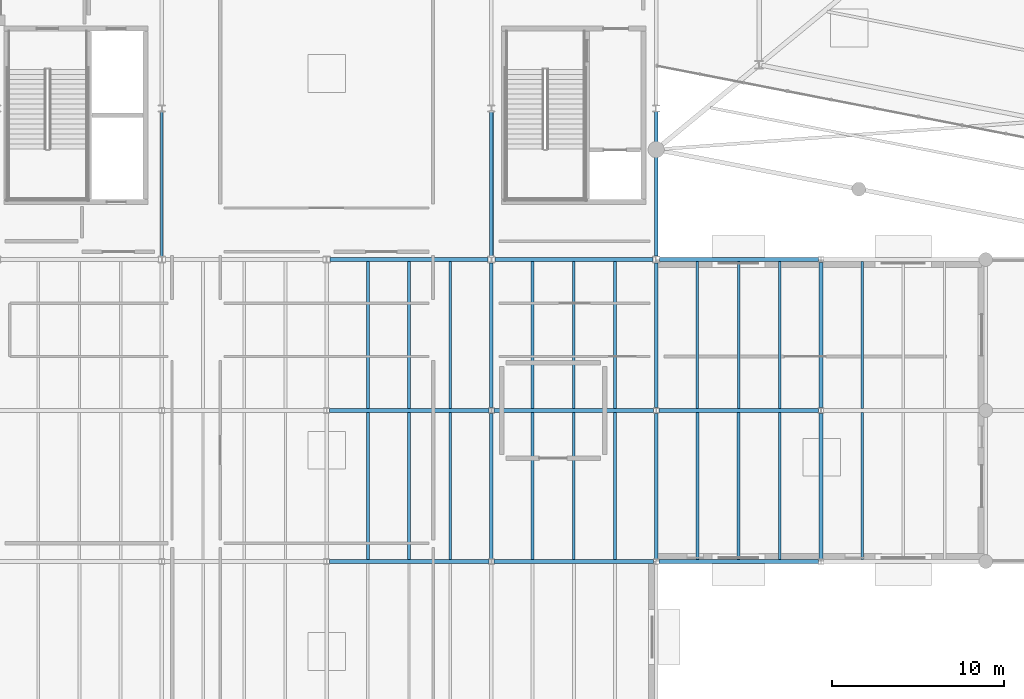
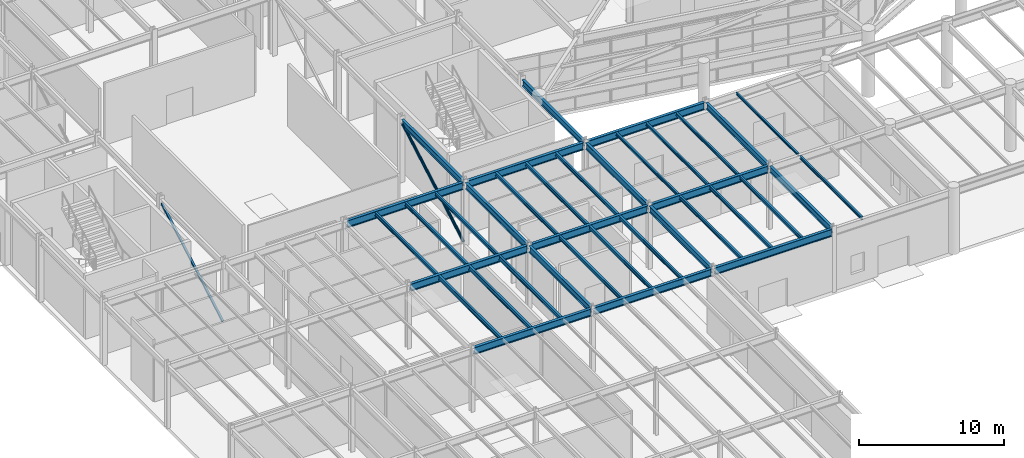
# One storey, part 21 of 70: 37 beams, 2 members.
"""IFC4 building model written with IfcOpenShell, lengths in metres."""

from ifc_helpers import new_model, si_unit, direction, frame, origin, origin_2d, place, context, subcontext, project, spatial, hollow_rectangle, hollow_circle, i_section, extrude, material, material_profile, profile_set, type_object, element, save


model = new_model("IFC4")

# Units and contexts
model_context = context("Model", 3, precision=1e-05, world=origin(), true_north=direction((0.0, 1.0)))
body_context = subcontext(model_context, "Body", "Model", "MODEL_VIEW")
ifc_project = project(units=[si_unit("LENGTHUNIT", "METRE"), si_unit("AREAUNIT", "SQUARE_METRE"), si_unit("VOLUMEUNIT", "CUBIC_METRE"), si_unit("PLANEANGLEUNIT", "RADIAN"), si_unit("MASSUNIT", "GRAM", prefix="KILO")], contexts=[model_context])

# Site, building, storey
site_placement = place(None, origin())
site = spatial("IfcSite", under=ifc_project, at=site_placement, CompositionType="ELEMENT")
building_placement = place(site_placement, origin())
building = spatial("IfcBuilding", under=site, at=building_placement, Name="Sarnbrook Museum", CompositionType="ELEMENT")
storey_placement = place(building_placement, origin())
storey = spatial("IfcBuildingStorey", under=building, at=storey_placement, Name="L00", CompositionType="ELEMENT", Elevation=0.0)

# Beams
ifc_material_1 = material(Name="Structural Steel Grade 300PLUS (AS/NZS 3679.1, fy = 280 MPa for 17 < t <= 40 mm, 300 MPa for t <= 17 mm)", Category="steel")
ifc_material_profile_1 = material_profile(ifc_material_1, i_section(OverallWidth=0.208984375, OverallDepth=0.532958984375, WebThickness=0.01025390625, FlangeThickness=0.015625, FilletRadius=0.013916015625, at=origin_2d()), Name="530UB92.4")
ifc_profile_set_1 = profile_set([ifc_material_profile_1], Name="Structural Steel Grade 300PLUS (AS/NZS 3679.1, fy = 280 MPa for 17 < t <= 40 mm, 300 MPa for t <= 17 mm)")
beam_type_1 = type_object("IfcBeamType", Name="BM-UB530", PredefinedType="BEAM", material=ifc_profile_set_1)
beam_1_placement = place(storey_placement, frame((109.60009765625, 39.363525390625, 5.08349609375), z_axis=(0.0, 1.0, 0.0), x_axis=(-1.0, 0.0, 0.0)))
element("IfcBeam", 1, at=beam_1_placement, inside=storey, type_object=beam_type_1, Name="Girder 12:E-F L00", PredefinedType="BEAM", context=body_context, shape_type="SweptSolid", body=[
    extrude(i_section(OverallWidth=0.208984375, OverallDepth=0.532958984375, WebThickness=0.01025390625, FlangeThickness=0.015625, FilletRadius=0.013916015625, at=origin_2d()), origin(), (0.0, 0.0, 1.0), 8.472900390625),
])
beam_2_placement = place(storey_placement, frame((109.60009765625, 48.16357421875, 5.08349609375), z_axis=(0.0, 1.0, 0.0), x_axis=(-1.0, 0.0, 0.0)))
element("IfcBeam", 2, at=beam_2_placement, inside=storey, type_object=beam_type_1, Name="Girder 12:F-G L00", PredefinedType="BEAM", context=body_context, shape_type="SweptSolid", body=[
    extrude(i_section(OverallWidth=0.208984375, OverallDepth=0.532958984375, WebThickness=0.01025390625, FlangeThickness=0.015625, FilletRadius=0.013916015625, at=origin_2d()), origin(), (0.0, 0.0, 1.0), 8.4453125),
])
beam_3_placement = place(storey_placement, frame((109.60009765625, 56.990966796875, 5.08349609375), z_axis=(0.0, 1.0, 0.0), x_axis=(-1.0, 0.0, 0.0)))
element("IfcBeam", 3, at=beam_3_placement, inside=storey, type_object=beam_type_1, Name="Girder 12:G-H L00", PredefinedType="BEAM", context=body_context, shape_type="SweptSolid", body=[
    extrude(i_section(OverallWidth=0.208984375, OverallDepth=0.532958984375, WebThickness=0.01025390625, FlangeThickness=0.015625, FilletRadius=0.013916015625, at=origin_2d()), origin(), (0.0, 0.0, 1.0), 8.41796875),
])
beam_4_placement = place(storey_placement, frame((119.199951171875, 39.363525390625, 5.08349609375), z_axis=(0.0, 1.0, 0.0), x_axis=(-1.0, 0.0, 0.0)))
element("IfcBeam", 4, at=beam_4_placement, inside=storey, type_object=beam_type_1, Name="Girder 13:E-F L00", PredefinedType="BEAM", context=body_context, shape_type="SweptSolid", body=[
    extrude(i_section(OverallWidth=0.208984375, OverallDepth=0.532958984375, WebThickness=0.01025390625, FlangeThickness=0.015625, FilletRadius=0.013916015625, at=origin_2d()), origin(), (0.0, 0.0, 1.0), 8.472900390625),
])
beam_5_placement = place(storey_placement, frame((119.199951171875, 48.16357421875, 5.08349609375), z_axis=(0.0, 1.0, 0.0), x_axis=(-1.0, 0.0, 0.0)))
element("IfcBeam", 5, at=beam_5_placement, inside=storey, type_object=beam_type_1, Name="Girder 13:F-G L00", PredefinedType="BEAM", context=body_context, shape_type="SweptSolid", body=[
    extrude(i_section(OverallWidth=0.208984375, OverallDepth=0.532958984375, WebThickness=0.01025390625, FlangeThickness=0.015625, FilletRadius=0.013916015625, at=origin_2d()), origin(), (0.0, 0.0, 1.0), 8.4453125),
])
beam_6_placement = place(storey_placement, frame((119.199951171875, 56.990966796875, 5.073486328125), z_axis=(0.0, 1.0, 0.0), x_axis=(-1.0, 0.0, 0.0)))
element("IfcBeam", 6, at=beam_6_placement, inside=storey, type_object=beam_type_1, Name="Girder 13:G-H L00", PredefinedType="BEAM", context=body_context, shape_type="SweptSolid", body=[
    extrude(i_section(OverallWidth=0.208984375, OverallDepth=0.532958984375, WebThickness=0.01025390625, FlangeThickness=0.015625, FilletRadius=0.013916015625, at=origin_2d()), origin(), (0.0, 0.0, 1.0), 8.41796875),
])
for number, where, z_axis, x_axis, name in (
    (7, (128.800048828125, 39.363525390625, 5.08349609375), (0.0, 1.0, 0.0), (-1.0, 0.0, 0.0), "Girder 14:E-F L00"),
    (8, (128.800048828125, 48.16357421875, 5.08349609375), (0.0, 1.0, 0.0), (-1.0, 0.0, 0.0), "Girder 14:F-G L00"),
):
    element("IfcBeam", number, at=place(storey_placement, frame(where, z_axis=z_axis, x_axis=x_axis)), inside=storey, type_object=beam_type_1, Name=name, PredefinedType="BEAM", context=body_context, shape_type="SweptSolid", body=[
        extrude(i_section(OverallWidth=0.208984375, OverallDepth=0.532958984375, WebThickness=0.01025390625, FlangeThickness=0.015625, FilletRadius=0.013916015625, at=origin_2d()), origin(), (0.0, 0.0, 1.0), 8.472900390625),
    ])
ifc_material_profile_2 = material_profile(ifc_material_1, i_section(OverallWidth=0.22900390625, OverallDepth=0.612060546875, WebThickness=0.011962890625, FlangeThickness=0.01953125, FilletRadius=0.013916015625, at=origin_2d()), Name="610UB125")
ifc_profile_set_2 = profile_set([ifc_material_profile_2], Name="Structural Steel Grade 300PLUS (AS/NZS 3679.1, fy = 280 MPa for 17 < t <= 40 mm, 300 MPa for t <= 17 mm)")
beam_type_2 = type_object("IfcBeamType", Name="BM-UB610H", PredefinedType="BEAM", material=ifc_profile_set_2)
beam_7_placement = place(storey_placement, frame((100.155517578125, 39.199951171875, 5.0439453125), z_axis=(1.0, 0.0, 0.0), x_axis=(0.0, 1.0, 0.0)))
element("IfcBeam", 9, at=beam_7_placement, inside=storey, type_object=beam_type_2, Name="Girder E:11-12 L00", PredefinedType="BEAM", context=body_context, shape_type="SweptSolid", body=[
    extrude(i_section(OverallWidth=0.22900390625, OverallDepth=0.612060546875, WebThickness=0.011962890625, FlangeThickness=0.01953125, FilletRadius=0.013916015625, at=origin_2d()), origin(), (0.0, 0.0, 1.0), 9.2890625),
])
beam_8_placement = place(storey_placement, frame((109.755615234375, 39.199951171875, 5.0439453125), z_axis=(1.0, 0.0, 0.0), x_axis=(0.0, 1.0, 0.0)))
element("IfcBeam", 10, at=beam_8_placement, inside=storey, type_object=beam_type_2, Name="Girder E:12-13 L00", PredefinedType="BEAM", context=body_context, shape_type="SweptSolid", body=[
    extrude(i_section(OverallWidth=0.22900390625, OverallDepth=0.612060546875, WebThickness=0.011962890625, FlangeThickness=0.01953125, FilletRadius=0.013916015625, at=origin_2d()), origin(), (0.0, 0.0, 1.0), 9.288818359375),
])
for number, where, z_axis, x_axis, name in (
    (11, (119.35546875, 39.199951171875, 5.0439453125), (1.0, 0.0, 0.0), (0.0, 1.0, 0.0), "Girder E:13-14 L00"),
    (12, (100.155517578125, 48.0, 5.0439453125), (1.0, 0.0, 0.0), (0.0, 1.0, 0.0), "Girder F:11-12 L00"),
):
    element("IfcBeam", number, at=place(storey_placement, frame(where, z_axis=z_axis, x_axis=x_axis)), inside=storey, type_object=beam_type_2, Name=name, PredefinedType="BEAM", context=body_context, shape_type="SweptSolid", body=[
        extrude(i_section(OverallWidth=0.22900390625, OverallDepth=0.612060546875, WebThickness=0.011962890625, FlangeThickness=0.01953125, FilletRadius=0.013916015625, at=origin_2d()), origin(), (0.0, 0.0, 1.0), 9.2890625),
    ])
beam_9_placement = place(storey_placement, frame((109.755615234375, 48.0, 5.0439453125), z_axis=(1.0, 0.0, 0.0), x_axis=(0.0, 1.0, 0.0)))
element("IfcBeam", 13, at=beam_9_placement, inside=storey, type_object=beam_type_2, Name="Girder F:12-13 L00", PredefinedType="BEAM", context=body_context, shape_type="SweptSolid", body=[
    extrude(i_section(OverallWidth=0.22900390625, OverallDepth=0.612060546875, WebThickness=0.011962890625, FlangeThickness=0.01953125, FilletRadius=0.013916015625, at=origin_2d()), origin(), (0.0, 0.0, 1.0), 9.288818359375),
])
beam_10_placement = place(storey_placement, frame((119.35546875, 48.0, 5.0439453125), z_axis=(1.0, 0.0, 0.0), x_axis=(0.0, 1.0, 0.0)))
element("IfcBeam", 14, at=beam_10_placement, inside=storey, type_object=beam_type_2, Name="Girder F:13-14 L00", PredefinedType="BEAM", context=body_context, shape_type="SweptSolid", body=[
    extrude(i_section(OverallWidth=0.22900390625, OverallDepth=0.612060546875, WebThickness=0.011962890625, FlangeThickness=0.01953125, FilletRadius=0.013916015625, at=origin_2d()), origin(), (0.0, 0.0, 1.0), 9.2890625),
])
for number, where, z_axis, x_axis, name in (
    (15, (100.199951171875, 56.800048828125, 5.0439453125), (1.0, 0.0, 0.0), (0.0, 1.0, 0.0), "Girder G:11-12 L00"),
    (16, (109.800048828125, 56.800048828125, 5.0439453125), (1.0, 0.0, 0.0), (0.0, 1.0, 0.0), "Girder G:12-13 L00"),
):
    element("IfcBeam", number, at=place(storey_placement, frame(where, z_axis=z_axis, x_axis=x_axis)), inside=storey, type_object=beam_type_2, Name=name, PredefinedType="BEAM", context=body_context, shape_type="SweptSolid", body=[
        extrude(i_section(OverallWidth=0.22900390625, OverallDepth=0.612060546875, WebThickness=0.011962890625, FlangeThickness=0.01953125, FilletRadius=0.013916015625, at=origin_2d()), origin(), (0.0, 0.0, 1.0), 9.199951171875),
    ])
beam_11_placement = place(storey_placement, frame((119.39990234375, 56.800048828125, 5.0439453125), z_axis=(1.0, 0.0, 0.0), x_axis=(0.0, 1.0, 0.0)))
element("IfcBeam", 17, at=beam_11_placement, inside=storey, type_object=beam_type_2, Name="Girder G:13-14 L00", PredefinedType="BEAM", context=body_context, shape_type="SweptSolid", body=[
    extrude(i_section(OverallWidth=0.22900390625, OverallDepth=0.612060546875, WebThickness=0.011962890625, FlangeThickness=0.01953125, FilletRadius=0.013916015625, at=origin_2d()), origin(), (0.0, 0.0, 1.0), 9.24462890625),
])
ifc_material_profile_3 = material_profile(ifc_material_1, i_section(OverallWidth=0.134033203125, OverallDepth=0.20703125, WebThickness=0.00634765625, FlangeThickness=0.009521484375, FilletRadius=0.0087890625, at=origin_2d()), Name="200UB29.8")
ifc_profile_set_3 = profile_set([ifc_material_profile_3], Name="Structural Steel Grade 300PLUS (AS/NZS 3679.1, fy = 280 MPa for 17 < t <= 40 mm, 300 MPa for t <= 17 mm)")
beam_type_3 = type_object("IfcBeamType", Name="JS-UB200", PredefinedType="JOIST", material=ifc_profile_set_3)
beam_12_placement = place(storey_placement, frame((131.199951171875, 48.114501953125, 5.24658203125), z_axis=(0.0, 1.0, 0.0), x_axis=(-1.0, 0.0, 0.0)))
element("IfcBeam", 18, at=beam_12_placement, inside=storey, type_object=beam_type_3, Name="Composite Floor Joist 14F-1 L00", PredefinedType="JOIST", context=body_context, shape_type="SweptSolid", body=[
    extrude(i_section(OverallWidth=0.134033203125, OverallDepth=0.20703125, WebThickness=0.00634765625, FlangeThickness=0.009521484375, FilletRadius=0.0087890625, at=origin_2d()), origin(), (0.0, 0.0, 1.0), 8.571044921875),
])
ifc_material_profile_4 = material_profile(ifc_material_1, i_section(OverallWidth=0.14599609375, OverallDepth=0.256103515625, WebThickness=0.00634765625, FlangeThickness=0.010986328125, FilletRadius=0.0087890625, at=origin_2d()), Name="250UB37.3")
ifc_profile_set_4 = profile_set([ifc_material_profile_4], Name="Structural Steel Grade 300PLUS (AS/NZS 3679.1, fy = 280 MPa for 17 < t <= 40 mm, 300 MPa for t <= 17 mm)")
beam_type_4 = type_object("IfcBeamType", Name="JS-UB250", PredefinedType="JOIST", material=ifc_profile_set_4)
for number, where, z_axis, x_axis, name in (
    (19, (121.60009765625, 48.114501953125, 5.221923828125), (0.0, 1.0, 0.0), (-1.0, 0.0, 0.0), "Composite Floor Joist 13F-1 L00"),
    (20, (124.0, 48.114501953125, 5.221923828125), (0.0, 1.0, 0.0), (-1.0, 0.0, 0.0), "Composite Floor Joist 13F-2 L00"),
    (21, (126.39990234375, 48.114501953125, 5.221923828125), (0.0, 1.0, 0.0), (-1.0, 0.0, 0.0), "Composite Floor Joist 13F-3 L00"),
    (22, (131.199951171875, 39.314453125, 5.221923828125), (0.0, 1.0, 0.0), (-1.0, 0.0, 0.0), "Composite Floor Joist 14E-1 L00"),
):
    element("IfcBeam", number, at=place(storey_placement, frame(where, z_axis=z_axis, x_axis=x_axis)), inside=storey, type_object=beam_type_4, Name=name, PredefinedType="JOIST", context=body_context, shape_type="SweptSolid", body=[
        extrude(i_section(OverallWidth=0.14599609375, OverallDepth=0.256103515625, WebThickness=0.00634765625, FlangeThickness=0.010986328125, FilletRadius=0.0087890625, at=origin_2d()), origin(), (0.0, 0.0, 1.0), 8.571044921875),
    ])
ifc_material_profile_5 = material_profile(ifc_material_1, i_section(OverallWidth=0.1650390625, OverallDepth=0.303955078125, WebThickness=0.006103515625, FlangeThickness=0.01025390625, FilletRadius=0.011474609375, at=origin_2d()), Name="310UB40.4")
ifc_profile_set_5 = profile_set([ifc_material_profile_5], Name="Structural Steel Grade 300PLUS (AS/NZS 3679.1, fy = 280 MPa for 17 < t <= 40 mm, 300 MPa for t <= 17 mm)")
beam_type_5 = type_object("IfcBeamType", Name="JS-UB310", PredefinedType="JOIST", material=ifc_profile_set_5)
for number, where, z_axis, x_axis, name in (
    (23, (112.0, 48.114501953125, 5.197998046875), (0.0, 1.0, 0.0), (-1.0, 0.0, 0.0), "Composite Floor Joist 12F-1 L00"),
    (24, (114.39990234375, 48.114501953125, 5.197998046875), (0.0, 1.0, 0.0), (-1.0, 0.0, 0.0), "Composite Floor Joist 12F-2 L00"),
    (25, (116.800048828125, 48.114501953125, 5.197998046875), (0.0, 1.0, 0.0), (-1.0, 0.0, 0.0), "Composite Floor Joist 12F-3 L00"),
    (26, (121.60009765625, 39.314453125, 5.197998046875), (0.0, 1.0, 0.0), (-1.0, 0.0, 0.0), "Composite Floor Joist 13E-1 L00"),
    (27, (124.0, 39.314453125, 5.197998046875), (0.0, 1.0, 0.0), (-1.0, 0.0, 0.0), "Composite Floor Joist 13E-2 L00"),
    (28, (126.39990234375, 39.314453125, 5.197998046875), (0.0, 1.0, 0.0), (-1.0, 0.0, 0.0), "Composite Floor Joist 13E-3 L00"),
):
    element("IfcBeam", number, at=place(storey_placement, frame(where, z_axis=z_axis, x_axis=x_axis)), inside=storey, type_object=beam_type_5, Name=name, PredefinedType="JOIST", context=body_context, shape_type="SweptSolid", body=[
        extrude(i_section(OverallWidth=0.1650390625, OverallDepth=0.303955078125, WebThickness=0.006103515625, FlangeThickness=0.01025390625, FilletRadius=0.011474609375, at=origin_2d()), origin(), (0.0, 0.0, 1.0), 8.571044921875),
    ])
ifc_material_profile_6 = material_profile(ifc_material_1, i_section(OverallWidth=0.166015625, OverallDepth=0.306884765625, WebThickness=0.006591796875, FlangeThickness=0.01171875, FilletRadius=0.011474609375, at=origin_2d()), Name="310UB46.2")
ifc_profile_set_6 = profile_set([ifc_material_profile_6], Name="Structural Steel Grade 300PLUS (AS/NZS 3679.1, fy = 280 MPa for 17 < t <= 40 mm, 300 MPa for t <= 17 mm)")
beam_type_6 = type_object("IfcBeamType", Name="JS-UB310H", PredefinedType="JOIST", material=ifc_profile_set_6)
for number, where, z_axis, x_axis, name in (
    (29, (102.39990234375, 48.114501953125, 5.196533203125), (0.0, 1.0, 0.0), (-1.0, 0.0, 0.0), "Composite Floor Joist 11F-1 L00"),
    (30, (104.800048828125, 48.114501953125, 5.196533203125), (0.0, 1.0, 0.0), (-1.0, 0.0, 0.0), "Composite Floor Joist 11F-2 L00"),
    (31, (107.199951171875, 48.114501953125, 5.196533203125), (0.0, 1.0, 0.0), (-1.0, 0.0, 0.0), "Composite Floor Joist 11F-3 L00"),
    (32, (112.0, 39.314453125, 5.196533203125), (0.0, 1.0, 0.0), (-1.0, 0.0, 0.0), "Composite Floor Joist 12E-1 L00"),
    (33, (114.39990234375, 39.314453125, 5.196533203125), (0.0, 1.0, 0.0), (-1.0, 0.0, 0.0), "Composite Floor Joist 12E-2 L00"),
    (34, (116.800048828125, 39.314453125, 5.196533203125), (0.0, 1.0, 0.0), (-1.0, 0.0, 0.0), "Composite Floor Joist 12E-3 L00"),
):
    element("IfcBeam", number, at=place(storey_placement, frame(where, z_axis=z_axis, x_axis=x_axis)), inside=storey, type_object=beam_type_6, Name=name, PredefinedType="JOIST", context=body_context, shape_type="SweptSolid", body=[
        extrude(i_section(OverallWidth=0.166015625, OverallDepth=0.306884765625, WebThickness=0.006591796875, FlangeThickness=0.01171875, FilletRadius=0.011474609375, at=origin_2d()), origin(), (0.0, 0.0, 1.0), 8.571044921875),
    ])
ifc_material_profile_7 = material_profile(ifc_material_1, i_section(OverallWidth=0.1708984375, OverallDepth=0.35595703125, WebThickness=0.00732421875, FlangeThickness=0.011474609375, FilletRadius=0.011474609375, at=origin_2d()), Name="360UB50.7")
ifc_profile_set_7 = profile_set([ifc_material_profile_7], Name="Structural Steel Grade 300PLUS (AS/NZS 3679.1, fy = 280 MPa for 17 < t <= 40 mm, 300 MPa for t <= 17 mm)")
beam_type_7 = type_object("IfcBeamType", Name="JS-UB360", PredefinedType="JOIST", material=ifc_profile_set_7)
for number, where, z_axis, x_axis, name in (
    (35, (102.39990234375, 39.314453125, 5.172119140625), (0.0, 1.0, 0.0), (-1.0, 0.0, 0.0), "Composite Floor Joist 11E-1 L00"),
    (36, (104.800048828125, 39.314453125, 5.172119140625), (0.0, 1.0, 0.0), (-1.0, 0.0, 0.0), "Composite Floor Joist 11E-2 L00"),
    (37, (107.199951171875, 39.314453125, 5.172119140625), (0.0, 1.0, 0.0), (-1.0, 0.0, 0.0), "Composite Floor Joist 11E-3 L00"),
):
    element("IfcBeam", number, at=place(storey_placement, frame(where, z_axis=z_axis, x_axis=x_axis)), inside=storey, type_object=beam_type_7, Name=name, PredefinedType="JOIST", context=body_context, shape_type="SweptSolid", body=[
        extrude(i_section(OverallWidth=0.1708984375, OverallDepth=0.35595703125, WebThickness=0.00732421875, FlangeThickness=0.011474609375, FilletRadius=0.011474609375, at=origin_2d()), origin(), (0.0, 0.0, 1.0), 8.571044921875),
    ])

# Members
ifc_material_2 = material(Name="Structural Steel Hollow Section Grade C350L0 (AS/NZS 1163, fy = 350 MPa)", Category="steel")
ifc_material_profile_8 = material_profile(ifc_material_2, hollow_circle(Radius=0.109619140625, WallThickness=0.00830078125, at=origin_2d()), Name="219.1x8.2CHS")
ifc_profile_set_8 = profile_set([ifc_material_profile_8], Name="Structural Steel Hollow Section Grade C350L0 (AS/NZS 1163, fy = 350 MPa)")
member_type_1 = type_object("IfcMemberType", Name="MB-CHS219", PredefinedType="BRACE", material=ifc_profile_set_8)
member_1_placement = place(storey_placement, frame((109.60009765625, 56.97998046875, 0.1201171875), z_axis=(0.0, 0.867932423691, 0.496682300778), x_axis=(-1.0, 0.0, 0.0)))
element("IfcMember", 38, at=member_1_placement, inside=storey, type_object=member_type_1, Name="Lateral Diagonal Brace CBF-2 L00", PredefinedType="BRACE", context=body_context, shape_type="SweptSolid", body=[
    extrude(hollow_circle(Radius=0.109619140625, WallThickness=0.00830078125, at=origin_2d()), origin(), (0.0, 0.0, 1.0), 9.72412109375),
])
ifc_material_profile_9 = material_profile(ifc_material_2, hollow_rectangle(XDim=0.14990234375, YDim=0.14990234375, WallThickness=0.009033203125, at=origin_2d()), Name="150x150x9.0SHS")
ifc_profile_set_9 = profile_set([ifc_material_profile_9], Name="Structural Steel Hollow Section Grade C350L0 (AS/NZS 1163, fy = 350 MPa)")
member_type_2 = type_object("IfcMemberType", Name="MB-SHS150", PredefinedType="BRACE", material=ifc_profile_set_9)
member_2_placement = place(storey_placement, frame((90.39990234375, 56.97998046875, 0.1201171875), z_axis=(0.0, 0.867932423691, 0.496682300778), x_axis=(-1.0, 0.0, 0.0)))
element("IfcMember", 39, at=member_2_placement, inside=storey, type_object=member_type_2, Name="Lateral Diagonal Brace CBF-1 L00", PredefinedType="BRACE", context=body_context, shape_type="SweptSolid", body=[
    extrude(hollow_rectangle(XDim=0.14990234375, YDim=0.14990234375, WallThickness=0.009033203125, at=origin_2d()), origin(), (0.0, 0.0, 1.0), 9.72412109375),
])

save(model, "model.ifc")
